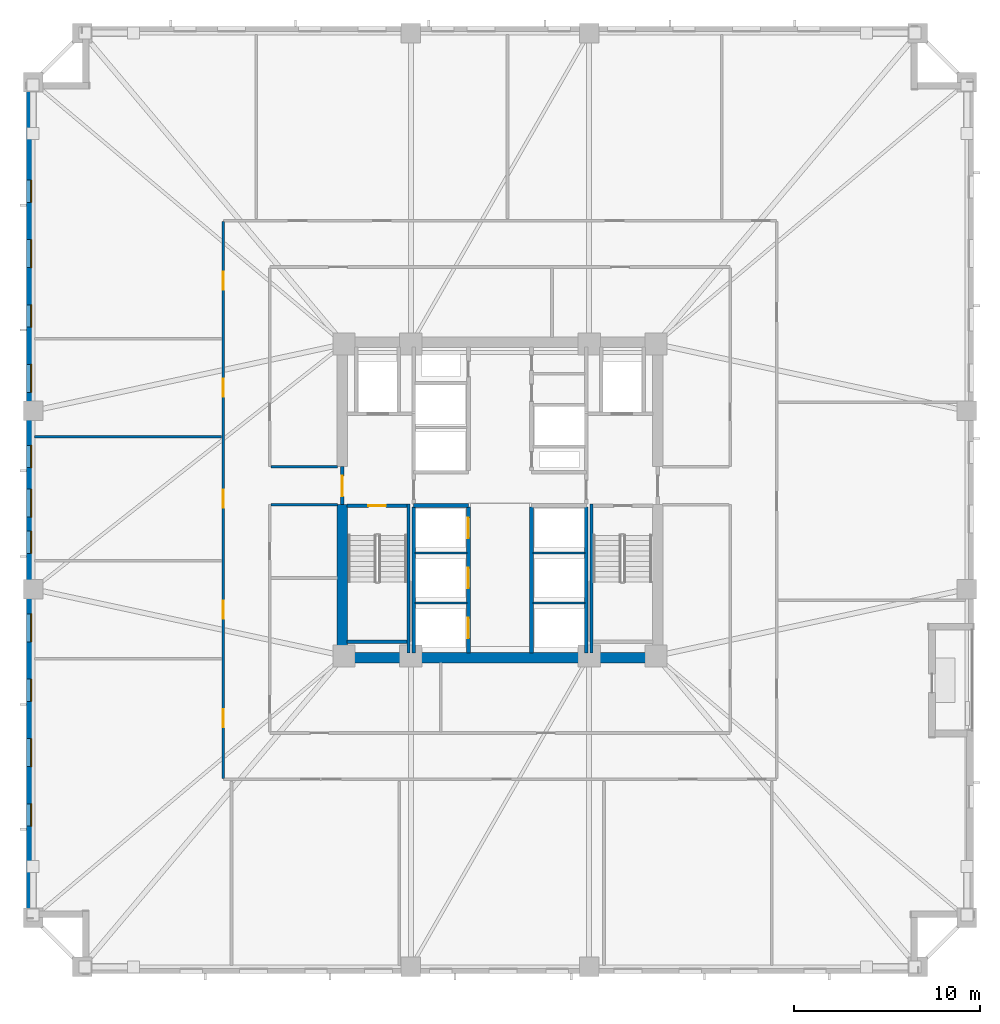
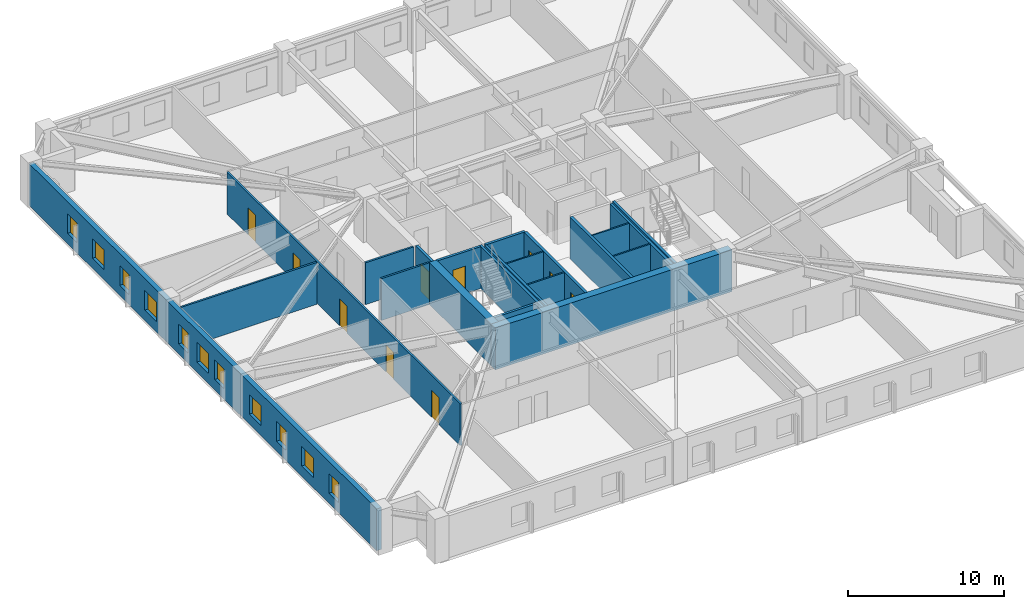
# One storey, part 3 of 11: 21 walls, 11 windows, 10 doors, 21 openings.
"""IFC4 building model written with IfcOpenShell, lengths in metres."""

from ifc_helpers import new_model, si_unit, direction, frame, frame_2d, origin, place, context, subcontext, project, spatial, rectangle, extrude, material, layer, layer_set, type_object, element, fill, save


model = new_model("IFC4")

# Units and contexts
model_context = context("Model", 3, precision=1e-05, world=origin(), true_north=direction((0.0, 1.0)))
body_context = subcontext(model_context, "Body", "Model", "MODEL_VIEW")
ifc_project = project(units=[si_unit("LENGTHUNIT", "METRE"), si_unit("AREAUNIT", "SQUARE_METRE"), si_unit("VOLUMEUNIT", "CUBIC_METRE"), si_unit("PLANEANGLEUNIT", "RADIAN"), si_unit("MASSUNIT", "GRAM", prefix="KILO")], contexts=[model_context])

# Site, building, storey
site_placement = place(None, origin())
site = spatial("IfcSite", under=ifc_project, at=site_placement, CompositionType="ELEMENT")
building_placement = place(site_placement, origin())
building = spatial("IfcBuilding", under=site, at=building_placement, Name="Cairnveth Concourse Tower", CompositionType="ELEMENT")
storey_placement = place(building_placement, frame((0.0, 0.0, 55.0)))
storey = spatial("IfcBuildingStorey", under=building, at=storey_placement, Name="L14", CompositionType="ELEMENT", Elevation=55.0)

# Walls
ifc_material_1 = material(Name="Concrete N80 (80 MPa)", Category="concrete")
ifc_layer_1 = layer(ifc_material_1, 0.550048828125)
ifc_layer_set_1 = layer_set([ifc_layer_1], Name="Concrete N80 (80 MPa)")
wall_type_1 = type_object("IfcWallType", Name="CORE SHEAR WALL 550", PredefinedType="SHEAR", material=ifc_layer_set_1)
wall_1_placement = place(storey_placement, frame((43.22509765625, 30.5, 0.0), z_axis=(0.0, 0.0, 1.0), x_axis=(1.0, 0.0, 0.0)))
element("IfcWall", 1, at=wall_1_placement, inside=storey, type_object=wall_type_1, Name="Core South Shear Wall L14", PredefinedType="SHEAR", context=body_context, shape_type="SweptSolid", body=[
    extrude(rectangle(XDim=17.5498046875, YDim=0.550048828125, at=frame_2d((8.77490234375, 0.0))), origin(), (0.0, 0.0, 1.0), 3.280029296875),
])
wall_2_placement = place(storey_placement, frame((43.5, 30.764892578125, 0.0), z_axis=(0.0, 0.0, 1.0), x_axis=(0.0, 1.0, 0.0)))
element("IfcWall", 2, at=wall_2_placement, inside=storey, type_object=wall_type_1, Name="Core West Shear Wall S L14", PredefinedType="SHEAR", context=body_context, shape_type="SweptSolid", body=[
    extrude(rectangle(XDim=7.985107421875, YDim=0.550048828125, at=frame_2d((3.99267578125, 0.0))), origin(), (0.0, 0.0, 1.0), 3.280029296875),
])
ifc_material_2 = material(Name="Concrete N50 (50 MPa)", Category="concrete")
ifc_layer_2 = layer(ifc_material_2, 0.179931640625)
ifc_layer_set_2 = layer_set([ifc_layer_2], Name="Concrete N50 (50 MPa)")
wall_type_2 = type_object("IfcWallType", Name="FIRE SHAFT WALL 180", PredefinedType="SOLIDWALL", material=ifc_layer_set_2)
for number, where, z_axis, x_axis, name in (
    (3, (47.35009765625, 30.760009765625, 0.0), (0.0, 0.0, 1.0), (0.0, 1.0, 0.0), "Interior Wall IW-L14-025"),
    (4, (56.64990234375, 30.760009765625, 0.0), (0.0, 0.0, 1.0), (0.0, 1.0, 0.0), "Interior Wall IW-L14-028"),
):
    element("IfcWall", number, at=place(storey_placement, frame(where, z_axis=z_axis, x_axis=x_axis)), inside=storey, type_object=wall_type_2, Name=name, PredefinedType="SOLIDWALL", context=body_context, shape_type="SweptSolid", body=[
        extrude(rectangle(XDim=7.85498046875, YDim=0.179931640625, at=frame_2d((3.927490234375, 0.0))), origin(), (0.0, 0.0, 1.0), 3.280029296875),
    ])

# Wall, opening, door
wall_3_placement = place(storey_placement, frame((43.764892578125, 38.68994140625, 0.0), z_axis=(0.0, 0.0, 1.0), x_axis=(1.0, 0.0, 0.0)))
wall_3 = element("IfcWall", 5, at=wall_3_placement, inside=storey, type_object=wall_type_2, Name="Stair ST-1 Shaft Wall NEAR L14", PredefinedType="SOLIDWALL", context=body_context, shape_type="SweptSolid", body=[
    extrude(rectangle(XDim=3.230224609375, YDim=0.179931640625, at=frame_2d((1.615234375, 0.0))), origin(), (0.0, 0.0, 1.0), 3.280029296875),
])
opening_1_placement = place(wall_3_placement, frame((1.139892578125, 0.0, 0.0)))
opening_1 = element("IfcOpeningElement", 6, at=opening_1_placement, cuts=wall_3, Name="Opening ID12", PredefinedType="OPENING", context=body_context, shape_type="SweptSolid", body=[
    extrude(rectangle(XDim=0.949951171875, YDim=2.14990234375, at=frame_2d((0.47509765625, 1.074951171875))), frame((0.0, 0.099853515625, 0.0), z_axis=(0.0, -1.0, 0.0), x_axis=(1.0, 0.0, 0.0)), (0.0, 0.0, 1.0), 0.199951171875),
])
ifc_material_3 = material(Name="Steel Grade 350", Category="steel")
door_type_1 = type_object("IfcDoorType", Name="FIRE STAIR DOOR 950X2150", OperationType="NOTDEFINED", PredefinedType="DOOR", material=ifc_material_3)
door_1_placement = place(opening_1_placement, origin())
door_1 = element("IfcDoor", 7, at=door_1_placement, inside=storey, type_object=door_type_1, Name="Stair ST-1 Fire Door L14", OperationType="SINGLE_SWING_LEFT", OverallHeight=2.14990234375, OverallWidth=0.949951171875, PredefinedType="DOOR", context=body_context, shape_type="SweptSolid", body=[
    extrude(rectangle(XDim=0.949951171875, YDim=2.14990234375, at=frame_2d((0.47509765625, 1.074951171875))), frame((0.0, 0.02490234375, 0.0), z_axis=(0.0, -1.0, 0.0), x_axis=(1.0, 0.0, 0.0)), (0.0, 0.0, 1.0), 0.050048828125),
])
fill(opening_1, door_1)

# Walls
wall_4_placement = place(storey_placement, frame((43.764892578125, 31.360107421875, 0.0), z_axis=(0.0, 0.0, 1.0), x_axis=(1.0, 0.0, 0.0)))
element("IfcWall", 8, at=wall_4_placement, inside=storey, type_object=wall_type_2, Name="Stair ST-1 Shaft Wall FAR L14", PredefinedType="SOLIDWALL", context=body_context, shape_type="SweptSolid", body=[
    extrude(rectangle(XDim=3.230224609375, YDim=0.179931640625, at=frame_2d((1.615234375, 0.0))), origin(), (0.0, 0.0, 1.0), 3.280029296875),
])
for number, where, z_axis, x_axis, name in (
    (9, (47.070068359375, 38.780029296875, 0.0), (0.0, 0.0, 1.0), (0.0, -1.0, 0.0), "Stair ST-1 Shaft Wall RGHT L14"),
    (10, (56.929931640625, 38.780029296875, 0.0), (0.0, 0.0, 1.0), (0.0, -1.0, 0.0), "Stair ST-2 Shaft Wall LEFT L14"),
):
    element("IfcWall", number, at=place(storey_placement, frame(where, z_axis=z_axis, x_axis=x_axis)), inside=storey, type_object=wall_type_2, Name=name, PredefinedType="SOLIDWALL", context=body_context, shape_type="SweptSolid", body=[
        extrude(rectangle(XDim=8.01708984375, YDim=0.179931640625, at=frame_2d((4.008544921875, 0.0))), origin(), (0.0, 0.0, 1.0), 3.280029296875),
    ])
ifc_layer_3 = layer(ifc_material_2, 0.199951171875)
ifc_layer_set_3 = layer_set([ifc_layer_3], Name="Concrete N50 (50 MPa)")
wall_type_3 = type_object("IfcWallType", Name="FIRE SHAFT WALL 200", PredefinedType="SOLIDWALL", material=ifc_layer_set_3)
wall_5_placement = place(storey_placement, frame((47.35009765625, 38.699951171875, 0.0), z_axis=(0.0, 0.0, 1.0), x_axis=(1.0, 0.0, 0.0)))
element("IfcWall", 11, at=wall_5_placement, inside=storey, type_object=wall_type_3, Name="Interior Wall IW-L14-007", PredefinedType="SOLIDWALL", context=body_context, shape_type="SweptSolid", body=[
    extrude(rectangle(XDim=2.949951171875, YDim=0.199951171875, at=frame_2d((1.47509765625, 0.0))), origin(), (0.0, 0.0, 1.0), 3.280029296875),
])

# Wall, openings, doors
wall_6_placement = place(storey_placement, frame((50.300048828125, 30.760009765625, 0.0), z_axis=(0.0, 0.0, 1.0), x_axis=(0.0, 1.0, 0.0)))
wall_6 = element("IfcWall", 12, at=wall_6_placement, inside=storey, type_object=wall_type_3, Name="Interior Wall IW-L14-011", PredefinedType="SOLIDWALL", context=body_context, shape_type="SweptSolid", body=[
    extrude(rectangle(XDim=7.85498046875, YDim=0.199951171875, at=frame_2d((3.927490234375, 0.0))), origin(), (0.0, 0.0, 1.0), 3.280029296875),
])
opening_2_placement = place(wall_6_placement, frame((0.7900390625, 0.0, 0.0)))
opening_2 = element("IfcOpeningElement", 13, at=opening_2_placement, cuts=wall_6, Name="Opening LD-1", PredefinedType="OPENING", context=body_context, shape_type="SweptSolid", body=[
    extrude(rectangle(XDim=1.10009765625, YDim=2.199951171875, at=frame_2d((0.550048828125, 1.10009765625))), frame((0.0, 0.10986328125, 0.0), z_axis=(0.0, -1.0, 0.0), x_axis=(1.0, 0.0, 0.0)), (0.0, 0.0, 1.0), 0.219970703125),
])
opening_3_placement = place(wall_6_placement, frame((3.489990234375, 0.0, 0.0)))
opening_3 = element("IfcOpeningElement", 14, at=opening_3_placement, cuts=wall_6, Name="Opening LD-1", PredefinedType="OPENING", context=body_context, shape_type="SweptSolid", body=[
    extrude(rectangle(XDim=1.10009765625, YDim=2.199951171875, at=frame_2d((0.550048828125, 1.10009765625))), frame((0.0, 0.10986328125, 0.0), z_axis=(0.0, -1.0, 0.0), x_axis=(1.0, 0.0, 0.0)), (0.0, 0.0, 1.0), 0.219970703125),
])
opening_4_placement = place(wall_6_placement, frame((6.18994140625, 0.0, 0.0)))
opening_4 = element("IfcOpeningElement", 15, at=opening_4_placement, cuts=wall_6, Name="Opening LD-1", PredefinedType="OPENING", context=body_context, shape_type="SweptSolid", body=[
    extrude(rectangle(XDim=1.10009765625, YDim=2.199951171875, at=frame_2d((0.550048828125, 1.10009765625))), frame((0.0, 0.10986328125, 0.0), z_axis=(0.0, -1.0, 0.0), x_axis=(1.0, 0.0, 0.0)), (0.0, 0.0, 1.0), 0.219970703125),
])
ifc_material_4 = material(Name="Architectural Bronze Anodised Aluminium 6063-T6", Category="aluminium")
door_type_2 = type_object("IfcDoorType", Name="LIFT LANDING DOOR 1100X2200", OperationType="SLIDING_TO_LEFT", PredefinedType="DOOR", material=ifc_material_4)
door_2_placement = place(opening_2_placement, origin())
door_2 = element("IfcDoor", 16, at=door_2_placement, inside=storey, type_object=door_type_2, Name="Lift PL1 Landing Door L14", OperationType="SLIDING_TO_LEFT", OverallHeight=2.199951171875, OverallWidth=1.10009765625, PredefinedType="DOOR", context=body_context, shape_type="SweptSolid", body=[
    extrude(rectangle(XDim=1.10009765625, YDim=2.199951171875, at=frame_2d((0.550048828125, 1.10009765625))), frame((0.0, 0.02490234375, 0.0), z_axis=(0.0, -1.0, 0.0), x_axis=(1.0, 0.0, 0.0)), (0.0, 0.0, 1.0), 0.050048828125),
])
fill(opening_2, door_2)
door_3_placement = place(opening_3_placement, origin())
door_3 = element("IfcDoor", 17, at=door_3_placement, inside=storey, type_object=door_type_2, Name="Lift PL2 Landing Door L14", OperationType="SLIDING_TO_LEFT", OverallHeight=2.199951171875, OverallWidth=1.10009765625, PredefinedType="DOOR", context=body_context, shape_type="SweptSolid", body=[
    extrude(rectangle(XDim=1.10009765625, YDim=2.199951171875, at=frame_2d((0.550048828125, 1.10009765625))), frame((0.0, 0.02490234375, 0.0), z_axis=(0.0, -1.0, 0.0), x_axis=(1.0, 0.0, 0.0)), (0.0, 0.0, 1.0), 0.050048828125),
])
fill(opening_3, door_3)
door_4_placement = place(opening_4_placement, origin())
door_4 = element("IfcDoor", 18, at=door_4_placement, inside=storey, type_object=door_type_2, Name="Lift PL3 Landing Door L14", OperationType="SLIDING_TO_LEFT", OverallHeight=2.199951171875, OverallWidth=1.10009765625, PredefinedType="DOOR", context=body_context, shape_type="SweptSolid", body=[
    extrude(rectangle(XDim=1.10009765625, YDim=2.199951171875, at=frame_2d((0.550048828125, 1.10009765625))), frame((0.0, 0.02490234375, 0.0), z_axis=(0.0, -1.0, 0.0), x_axis=(1.0, 0.0, 0.0)), (0.0, 0.0, 1.0), 0.050048828125),
])
fill(opening_4, door_4)

# Wall
wall_7_placement = place(storey_placement, frame((53.699951171875, 30.760009765625, 0.0), z_axis=(0.0, 0.0, 1.0), x_axis=(0.0, 1.0, 0.0)))
element("IfcWall", 19, at=wall_7_placement, inside=storey, type_object=wall_type_3, Name="Interior Wall IW-L14-012", PredefinedType="SOLIDWALL", context=body_context, shape_type="SweptSolid", body=[
    extrude(rectangle(XDim=7.85498046875, YDim=0.199951171875, at=frame_2d((3.927490234375, 0.0))), origin(), (0.0, 0.0, 1.0), 3.280029296875),
])

# Wall, opening, door
wall_8_placement = place(storey_placement, frame((43.5, 38.75, 0.0), z_axis=(0.0, 0.0, 1.0), x_axis=(0.0, 1.0, 0.0)))
wall_8 = element("IfcWall", 20, at=wall_8_placement, inside=storey, type_object=wall_type_3, Name="Interior Wall IW-L14-015", PredefinedType="SOLIDWALL", context=body_context, shape_type="SweptSolid", body=[
    extrude(rectangle(XDim=2.050048828125, YDim=0.199951171875, at=frame_2d((1.02490234375, 0.0))), origin(), (0.0, 0.0, 1.0), 3.280029296875),
])
opening_5_placement = place(wall_8_placement, frame((0.449951171875, 0.0, 0.0)))
opening_5 = element("IfcOpeningElement", 21, at=opening_5_placement, cuts=wall_8, Name="Opening ID06", PredefinedType="OPENING", context=body_context, shape_type="SweptSolid", body=[
    extrude(rectangle(XDim=1.10009765625, YDim=2.14990234375, at=frame_2d((0.550048828125, 1.074951171875))), frame((0.0, 0.10986328125, 0.0), z_axis=(0.0, -1.0, 0.0), x_axis=(1.0, 0.0, 0.0)), (0.0, 0.0, 1.0), 0.219970703125),
])
door_type_3 = type_object("IfcDoorType", Name="FIRE CORRIDOR DOOR 1100X2150", OperationType="NOTDEFINED", PredefinedType="DOOR", material=ifc_material_3)
door_5_placement = place(opening_5_placement, origin())
door_5 = element("IfcDoor", 22, at=door_5_placement, inside=storey, type_object=door_type_3, Name="West Wing to FF Lobby Door L14", OperationType="SINGLE_SWING_LEFT", OverallHeight=2.14990234375, OverallWidth=1.10009765625, PredefinedType="DOOR", context=body_context, shape_type="SweptSolid", body=[
    extrude(rectangle(XDim=1.10009765625, YDim=2.14990234375, at=frame_2d((0.550048828125, 1.074951171875))), frame((0.0, 0.02490234375, 0.0), z_axis=(0.0, -1.0, 0.0), x_axis=(1.0, 0.0, 0.0)), (0.0, 0.0, 1.0), 0.050048828125),
])
fill(opening_5, door_5)

# Wall, openings, doors
ifc_material_5 = material(Name="Gypsum Plasterboard Partition", Category="gypsum")
ifc_layer_4 = layer(ifc_material_5, 0.139892578125)
ifc_layer_set_4 = layer_set([ifc_layer_4], Name="Gypsum Plasterboard Partition")
wall_type_4 = type_object("IfcWallType", Name="GYPSUM STUD PARTITION 140", PredefinedType="PARTITIONING", material=ifc_layer_set_4)
wall_9_placement = place(storey_placement, frame((37.10009765625, 24.0048828125, 0.0), z_axis=(0.0, 0.0, 1.0), x_axis=(0.0, 1.0, 0.0)))
wall_9 = element("IfcWall", 23, at=wall_9_placement, inside=storey, type_object=wall_type_4, Name="Interior Wall IW-L14-040", PredefinedType="PARTITIONING", context=body_context, shape_type="SweptSolid", body=[
    extrude(rectangle(XDim=29.990234375, YDim=0.139892578125, at=frame_2d((14.9951171875, 0.0))), origin(), (0.0, 0.0, 1.0), 3.280029296875),
])
opening_6_placement = place(wall_9_placement, frame((2.759765625, 0.0, 0.0)))
opening_6 = element("IfcOpeningElement", 24, at=opening_6_placement, cuts=wall_9, Name="Opening ID11", PredefinedType="OPENING", context=body_context, shape_type="SweptSolid", body=[
    extrude(rectangle(XDim=0.9599609375, YDim=2.1201171875, at=frame_2d((0.47998046875, 1.06005859375))), frame((0.0, 0.079833984375, 0.0), z_axis=(0.0, -1.0, 0.0), x_axis=(1.0, 0.0, 0.0)), (0.0, 0.0, 1.0), 0.159912109375),
])
opening_7_placement = place(wall_9_placement, frame((8.597900390625, 0.0, 0.0)))
opening_7 = element("IfcOpeningElement", 25, at=opening_7_placement, cuts=wall_9, Name="Opening ID11", PredefinedType="OPENING", context=body_context, shape_type="SweptSolid", body=[
    extrude(rectangle(XDim=0.9599609375, YDim=2.1201171875, at=frame_2d((0.47998046875, 1.06005859375))), frame((0.0, 0.079833984375, 0.0), z_axis=(0.0, -1.0, 0.0), x_axis=(1.0, 0.0, 0.0)), (0.0, 0.0, 1.0), 0.159912109375),
])
opening_8_placement = place(wall_9_placement, frame((14.577880859375, 0.0, 0.0)))
opening_8 = element("IfcOpeningElement", 26, at=opening_8_placement, cuts=wall_9, Name="Opening ID11", PredefinedType="OPENING", context=body_context, shape_type="SweptSolid", body=[
    extrude(rectangle(XDim=0.9599609375, YDim=2.1201171875, at=frame_2d((0.47998046875, 1.06005859375))), frame((0.0, 0.079833984375, 0.0), z_axis=(0.0, -1.0, 0.0), x_axis=(1.0, 0.0, 0.0)), (0.0, 0.0, 1.0), 0.159912109375),
])
opening_9_placement = place(wall_9_placement, frame((20.55810546875, 0.0, 0.0)))
opening_9 = element("IfcOpeningElement", 27, at=opening_9_placement, cuts=wall_9, Name="Opening ID11", PredefinedType="OPENING", context=body_context, shape_type="SweptSolid", body=[
    extrude(rectangle(XDim=0.9599609375, YDim=2.1201171875, at=frame_2d((0.47998046875, 1.06005859375))), frame((0.0, 0.079833984375, 0.0), z_axis=(0.0, -1.0, 0.0), x_axis=(1.0, 0.0, 0.0)), (0.0, 0.0, 1.0), 0.159912109375),
])
opening_10_placement = place(wall_9_placement, frame((26.333251953125, 0.0, 0.0)))
opening_10 = element("IfcOpeningElement", 28, at=opening_10_placement, cuts=wall_9, Name="Opening ID11", PredefinedType="OPENING", context=body_context, shape_type="SweptSolid", body=[
    extrude(rectangle(XDim=0.9599609375, YDim=2.1201171875, at=frame_2d((0.47998046875, 1.06005859375))), frame((0.0, 0.079833984375, 0.0), z_axis=(0.0, -1.0, 0.0), x_axis=(1.0, 0.0, 0.0)), (0.0, 0.0, 1.0), 0.159912109375),
])
ifc_material_6 = material(Name="Solid Core Hardwood Timber Leaf", Category="wood")
door_type_4 = type_object("IfcDoorType", Name="INTERIOR SINGLE DOOR 960X2150", OperationType="NOTDEFINED", PredefinedType="DOOR", material=ifc_material_6)
door_6_placement = place(opening_6_placement, origin())
door_6 = element("IfcDoor", 29, at=door_6_placement, inside=storey, type_object=door_type_4, Name="Office Door L14-W1", OperationType="SINGLE_SWING_RIGHT", OverallHeight=2.1201171875, OverallWidth=0.9599609375, PredefinedType="DOOR", context=body_context, shape_type="SweptSolid", body=[
    extrude(rectangle(XDim=0.9599609375, YDim=2.1201171875, at=frame_2d((0.47998046875, 1.06005859375))), frame((0.0, 0.02490234375, 0.0), z_axis=(0.0, -1.0, 0.0), x_axis=(1.0, 0.0, 0.0)), (0.0, 0.0, 1.0), 0.050048828125),
])
fill(opening_6, door_6)
door_7_placement = place(opening_7_placement, origin())
door_7 = element("IfcDoor", 30, at=door_7_placement, inside=storey, type_object=door_type_4, Name="Office Door L14-W2", OperationType="SINGLE_SWING_LEFT", OverallHeight=2.1201171875, OverallWidth=0.9599609375, PredefinedType="DOOR", context=body_context, shape_type="SweptSolid", body=[
    extrude(rectangle(XDim=0.9599609375, YDim=2.1201171875, at=frame_2d((0.47998046875, 1.06005859375))), frame((0.0, 0.02490234375, 0.0), z_axis=(0.0, -1.0, 0.0), x_axis=(1.0, 0.0, 0.0)), (0.0, 0.0, 1.0), 0.050048828125),
])
fill(opening_7, door_7)
door_8_placement = place(opening_8_placement, origin())
door_8 = element("IfcDoor", 31, at=door_8_placement, inside=storey, type_object=door_type_4, Name="Office Door L14-W3", OperationType="SINGLE_SWING_RIGHT", OverallHeight=2.1201171875, OverallWidth=0.9599609375, PredefinedType="DOOR", context=body_context, shape_type="SweptSolid", body=[
    extrude(rectangle(XDim=0.9599609375, YDim=2.1201171875, at=frame_2d((0.47998046875, 1.06005859375))), frame((0.0, 0.02490234375, 0.0), z_axis=(0.0, -1.0, 0.0), x_axis=(1.0, 0.0, 0.0)), (0.0, 0.0, 1.0), 0.050048828125),
])
fill(opening_8, door_8)
door_9_placement = place(opening_9_placement, origin())
door_9 = element("IfcDoor", 32, at=door_9_placement, inside=storey, type_object=door_type_4, Name="Office Door L14-W4", OperationType="SINGLE_SWING_LEFT", OverallHeight=2.1201171875, OverallWidth=0.9599609375, PredefinedType="DOOR", context=body_context, shape_type="SweptSolid", body=[
    extrude(rectangle(XDim=0.9599609375, YDim=2.1201171875, at=frame_2d((0.47998046875, 1.06005859375))), frame((0.0, 0.02490234375, 0.0), z_axis=(0.0, -1.0, 0.0), x_axis=(1.0, 0.0, 0.0)), (0.0, 0.0, 1.0), 0.050048828125),
])
fill(opening_9, door_9)
door_10_placement = place(opening_10_placement, origin())
door_10 = element("IfcDoor", 33, at=door_10_placement, inside=storey, type_object=door_type_4, Name="Office Door L14-W5", OperationType="SINGLE_SWING_RIGHT", OverallHeight=2.1201171875, OverallWidth=0.9599609375, PredefinedType="DOOR", context=body_context, shape_type="SweptSolid", body=[
    extrude(rectangle(XDim=0.9599609375, YDim=2.1201171875, at=frame_2d((0.47998046875, 1.06005859375))), frame((0.0, 0.02490234375, 0.0), z_axis=(0.0, -1.0, 0.0), x_axis=(1.0, 0.0, 0.0)), (0.0, 0.0, 1.0), 0.050048828125),
])
fill(opening_10, door_10)

# Walls
for number, where, z_axis, x_axis, name in (
    (34, (39.655029296875, 38.75, 0.0), (0.0, 0.0, 1.0), (1.0, 0.0, 0.0), "Interior Wall IW-L14-046"),
    (35, (39.655029296875, 40.800048828125, 0.0), (0.0, 0.0, 1.0), (1.0, 0.0, 0.0), "Interior Wall IW-L14-047"),
):
    element("IfcWall", number, at=place(storey_placement, frame(where, z_axis=z_axis, x_axis=x_axis)), inside=storey, type_object=wall_type_4, Name=name, PredefinedType="PARTITIONING", context=body_context, shape_type="SweptSolid", body=[
        extrude(rectangle(XDim=3.5849609375, YDim=0.139892578125, at=frame_2d((1.79248046875, 0.0))), origin(), (0.0, 0.0, 1.0), 3.280029296875),
    ])
wall_10_placement = place(storey_placement, frame((26.919921875, 42.3994140625, 0.0), z_axis=(0.0, 0.0, 1.0), x_axis=(1.0, 0.0, 0.0)))
element("IfcWall", 36, at=wall_10_placement, inside=storey, type_object=wall_type_4, Name="Interior Wall IW-L14-064", PredefinedType="PARTITIONING", context=body_context, shape_type="SweptSolid", body=[
    extrude(rectangle(XDim=10.080078125, YDim=0.139892578125, at=frame_2d((5.0400390625, 0.0))), origin(), (0.0, 0.0, 1.0), 3.280029296875),
])
ifc_layer_5 = layer(ifc_material_5, 0.110107421875)
ifc_layer_set_5 = layer_set([ifc_layer_5], Name="Gypsum Plasterboard Partition")
wall_type_5 = type_object("IfcWallType", Name="SHAFT DIVIDER WALL 140", PredefinedType="PARTITIONING", material=ifc_layer_set_5)
for number, where, z_axis, x_axis, name in (
    (37, (47.425048828125, 33.449951171875, 0.0), (0.0, 0.0, 1.0), (1.0, 0.0, 0.0), "Interior Wall IW-L14-026"),
    (38, (47.425048828125, 36.14990234375, 0.0), (0.0, 0.0, 1.0), (1.0, 0.0, 0.0), "Interior Wall IW-L14-027"),
    (39, (53.784912109375, 33.449951171875, 0.0), (0.0, 0.0, 1.0), (1.0, 0.0, 0.0), "Interior Wall IW-L14-029"),
    (40, (53.784912109375, 36.14990234375, 0.0), (0.0, 0.0, 1.0), (1.0, 0.0, 0.0), "Interior Wall IW-L14-030"),
):
    element("IfcWall", number, at=place(storey_placement, frame(where, z_axis=z_axis, x_axis=x_axis)), inside=storey, type_object=wall_type_5, Name=name, PredefinedType="PARTITIONING", context=body_context, shape_type="SweptSolid", body=[
        extrude(rectangle(XDim=2.7900390625, YDim=0.110107421875, at=frame_2d((1.39501953125, 0.0))), origin(), (0.0, 0.0, 1.0), 3.280029296875),
    ])

# Wall, openings, windows
ifc_material_7 = material(Name="Hawthorn Red-Ochre Fired Clay Brick Masonry", Category="masonry")
ifc_layer_6 = layer(ifc_material_7, 0.360107421875)
ifc_layer_set_6 = layer_set([ifc_layer_6], Name="Hawthorn Red-Ochre Fired Clay Brick Masonry")
wall_type_6 = type_object("IfcWallType", Name="ZONE 1 BRICK PIER SPANDREL WALL 360", PredefinedType="SOLIDWALL", material=ifc_layer_set_6)
wall_11_placement = place(storey_placement, frame((26.679931640625, 16.5, 0.0), z_axis=(0.0, 0.0, 1.0), x_axis=(0.0, 1.0, 0.0)))
wall_11 = element("IfcWall", 41, at=wall_11_placement, inside=storey, type_object=wall_type_6, Name="Exterior Wall EW-L14-S06", PredefinedType="SOLIDWALL", context=body_context, shape_type="SweptSolid", body=[
    extrude(rectangle(XDim=44.662109375, YDim=0.360107421875, at=frame_2d((22.3310546875, 0.0))), origin(), (0.0, 0.0, 1.0), 3.280029296875),
])
opening_11_placement = place(wall_11_placement, frame((4.93017578125, 0.0, 0.800048828125)))
opening_11 = element("IfcOpeningElement", 42, at=opening_11_placement, cuts=wall_11, Name="Opening W01", PredefinedType="OPENING", context=body_context, shape_type="SweptSolid", body=[
    extrude(rectangle(XDim=1.199951171875, YDim=1.5439453125, at=frame_2d((0.60009765625, 0.77197265625))), frame((0.0, 0.18994140625, 0.0), z_axis=(0.0, -1.0, 0.0), x_axis=(1.0, 0.0, 0.0)), (0.0, 0.0, 1.0), 0.380126953125),
])
opening_12_placement = place(wall_11_placement, frame((8.140380859375, 0.0, 0.800048828125)))
opening_12 = element("IfcOpeningElement", 43, at=opening_12_placement, cuts=wall_11, Name="Opening W03", PredefinedType="OPENING", context=body_context, shape_type="SweptSolid", body=[
    extrude(rectangle(XDim=1.5, YDim=1.5439453125, at=frame_2d((0.75, 0.77197265625))), frame((0.0, 0.18994140625, 0.0), z_axis=(0.0, -1.0, 0.0), x_axis=(1.0, 0.0, 0.0)), (0.0, 0.0, 1.0), 0.380126953125),
])
opening_13_placement = place(wall_11_placement, frame((11.650390625, 0.0, 0.800048828125)))
opening_13 = element("IfcOpeningElement", 44, at=opening_13_placement, cuts=wall_11, Name="Opening W01", PredefinedType="OPENING", context=body_context, shape_type="SweptSolid", body=[
    extrude(rectangle(XDim=1.199951171875, YDim=1.5439453125, at=frame_2d((0.60009765625, 0.77197265625))), frame((0.0, 0.18994140625, 0.0), z_axis=(0.0, -1.0, 0.0), x_axis=(1.0, 0.0, 0.0)), (0.0, 0.0, 1.0), 0.380126953125),
])
opening_14_placement = place(wall_11_placement, frame((14.860595703125, 0.0, 0.800048828125)))
opening_14 = element("IfcOpeningElement", 45, at=opening_14_placement, cuts=wall_11, Name="Opening W03", PredefinedType="OPENING", context=body_context, shape_type="SweptSolid", body=[
    extrude(rectangle(XDim=1.5, YDim=1.5439453125, at=frame_2d((0.75, 0.77197265625))), frame((0.0, 0.18994140625, 0.0), z_axis=(0.0, -1.0, 0.0), x_axis=(1.0, 0.0, 0.0)), (0.0, 0.0, 1.0), 0.380126953125),
])
opening_15_placement = place(wall_11_placement, frame((19.620849609375, 0.0, 0.800048828125)))
opening_15 = element("IfcOpeningElement", 46, at=opening_15_placement, cuts=wall_11, Name="Opening W01", PredefinedType="OPENING", context=body_context, shape_type="SweptSolid", body=[
    extrude(rectangle(XDim=1.199951171875, YDim=1.5439453125, at=frame_2d((0.60009765625, 0.77197265625))), frame((0.0, 0.18994140625, 0.0), z_axis=(0.0, -1.0, 0.0), x_axis=(1.0, 0.0, 0.0)), (0.0, 0.0, 1.0), 0.380126953125),
])
opening_16_placement = place(wall_11_placement, frame((21.5810546875, 0.0, 0.800048828125)))
opening_16 = element("IfcOpeningElement", 47, at=opening_16_placement, cuts=wall_11, Name="Opening W03", PredefinedType="OPENING", context=body_context, shape_type="SweptSolid", body=[
    extrude(rectangle(XDim=1.5, YDim=1.5439453125, at=frame_2d((0.75, 0.77197265625))), frame((0.0, 0.18994140625, 0.0), z_axis=(0.0, -1.0, 0.0), x_axis=(1.0, 0.0, 0.0)), (0.0, 0.0, 1.0), 0.380126953125),
])
opening_17_placement = place(wall_11_placement, frame((24.2412109375, 0.0, 0.800048828125)))
opening_17 = element("IfcOpeningElement", 48, at=opening_17_placement, cuts=wall_11, Name="Opening W01", PredefinedType="OPENING", context=body_context, shape_type="SweptSolid", body=[
    extrude(rectangle(XDim=1.199951171875, YDim=1.5439453125, at=frame_2d((0.60009765625, 0.77197265625))), frame((0.0, 0.18994140625, 0.0), z_axis=(0.0, -1.0, 0.0), x_axis=(1.0, 0.0, 0.0)), (0.0, 0.0, 1.0), 0.380126953125),
])
opening_18_placement = place(wall_11_placement, frame((28.301513671875, 0.0, 0.800048828125)))
opening_18 = element("IfcOpeningElement", 49, at=opening_18_placement, cuts=wall_11, Name="Opening W03", PredefinedType="OPENING", context=body_context, shape_type="SweptSolid", body=[
    extrude(rectangle(XDim=1.5, YDim=1.5439453125, at=frame_2d((0.75, 0.77197265625))), frame((0.0, 0.18994140625, 0.0), z_axis=(0.0, -1.0, 0.0), x_axis=(1.0, 0.0, 0.0)), (0.0, 0.0, 1.0), 0.380126953125),
])
opening_19_placement = place(wall_11_placement, frame((31.8115234375, 0.0, 0.800048828125)))
opening_19 = element("IfcOpeningElement", 50, at=opening_19_placement, cuts=wall_11, Name="Opening W01", PredefinedType="OPENING", context=body_context, shape_type="SweptSolid", body=[
    extrude(rectangle(XDim=1.199951171875, YDim=1.5439453125, at=frame_2d((0.60009765625, 0.77197265625))), frame((0.0, 0.18994140625, 0.0), z_axis=(0.0, -1.0, 0.0), x_axis=(1.0, 0.0, 0.0)), (0.0, 0.0, 1.0), 0.380126953125),
])
opening_20_placement = place(wall_11_placement, frame((35.021728515625, 0.0, 0.800048828125)))
opening_20 = element("IfcOpeningElement", 51, at=opening_20_placement, cuts=wall_11, Name="Opening W03", PredefinedType="OPENING", context=body_context, shape_type="SweptSolid", body=[
    extrude(rectangle(XDim=1.5, YDim=1.5439453125, at=frame_2d((0.75, 0.77197265625))), frame((0.0, 0.18994140625, 0.0), z_axis=(0.0, -1.0, 0.0), x_axis=(1.0, 0.0, 0.0)), (0.0, 0.0, 1.0), 0.380126953125),
])
opening_21_placement = place(wall_11_placement, frame((38.531982421875, 0.0, 0.800048828125)))
opening_21 = element("IfcOpeningElement", 52, at=opening_21_placement, cuts=wall_11, Name="Opening W01", PredefinedType="OPENING", context=body_context, shape_type="SweptSolid", body=[
    extrude(rectangle(XDim=1.199951171875, YDim=1.5439453125, at=frame_2d((0.60009765625, 0.77197265625))), frame((0.0, 0.18994140625, 0.0), z_axis=(0.0, -1.0, 0.0), x_axis=(1.0, 0.0, 0.0)), (0.0, 0.0, 1.0), 0.380126953125),
])
ifc_material_8 = material(Name="Double Glazed Low-E Clear Glass", Category="glass")
window_type_1 = type_object("IfcWindowType", Name="DEEP-SET GOTHIC LANCET WINDOW 1200X1800", PartitioningType="DOUBLE_PANEL_VERTICAL", PredefinedType="WINDOW", material=ifc_material_8)
window_1_placement = place(opening_11_placement, origin())
window_1 = element("IfcWindow", 53, at=window_1_placement, inside=storey, type_object=window_type_1, Name="Gothic Lancet Window L14-6-1", OverallHeight=1.5439453125, OverallWidth=1.199951171875, PartitioningType="SINGLE_PANEL", PredefinedType="WINDOW", context=body_context, shape_type="SweptSolid", body=[
    extrude(rectangle(XDim=1.199951171875, YDim=1.5439453125, at=frame_2d((0.60009765625, 0.77197265625))), frame((0.0, -0.050048828125, 0.0), z_axis=(0.0, -1.0, 0.0), x_axis=(1.0, 0.0, 0.0)), (0.0, 0.0, 1.0), 0.06005859375),
])
fill(opening_11, window_1)
window_2_placement = place(opening_13_placement, origin())
window_2 = element("IfcWindow", 54, at=window_2_placement, inside=storey, type_object=window_type_1, Name="Gothic Lancet Window L14-6-3", OverallHeight=1.5439453125, OverallWidth=1.199951171875, PartitioningType="SINGLE_PANEL", PredefinedType="WINDOW", context=body_context, shape_type="SweptSolid", body=[
    extrude(rectangle(XDim=1.199951171875, YDim=1.5439453125, at=frame_2d((0.60009765625, 0.77197265625))), frame((0.0, -0.050048828125, 0.0), z_axis=(0.0, -1.0, 0.0), x_axis=(1.0, 0.0, 0.0)), (0.0, 0.0, 1.0), 0.06005859375),
])
fill(opening_13, window_2)
window_3_placement = place(opening_15_placement, origin())
window_3 = element("IfcWindow", 55, at=window_3_placement, inside=storey, type_object=window_type_1, Name="Gothic Lancet Window L14-6-5", OverallHeight=1.5439453125, OverallWidth=1.199951171875, PartitioningType="SINGLE_PANEL", PredefinedType="WINDOW", context=body_context, shape_type="SweptSolid", body=[
    extrude(rectangle(XDim=1.199951171875, YDim=1.5439453125, at=frame_2d((0.60009765625, 0.77197265625))), frame((0.0, -0.050048828125, 0.0), z_axis=(0.0, -1.0, 0.0), x_axis=(1.0, 0.0, 0.0)), (0.0, 0.0, 1.0), 0.06005859375),
])
fill(opening_15, window_3)
window_4_placement = place(opening_17_placement, origin())
window_4 = element("IfcWindow", 56, at=window_4_placement, inside=storey, type_object=window_type_1, Name="Gothic Lancet Window L14-6-7", OverallHeight=1.5439453125, OverallWidth=1.199951171875, PartitioningType="SINGLE_PANEL", PredefinedType="WINDOW", context=body_context, shape_type="SweptSolid", body=[
    extrude(rectangle(XDim=1.199951171875, YDim=1.5439453125, at=frame_2d((0.60009765625, 0.77197265625))), frame((0.0, -0.050048828125, 0.0), z_axis=(0.0, -1.0, 0.0), x_axis=(1.0, 0.0, 0.0)), (0.0, 0.0, 1.0), 0.06005859375),
])
fill(opening_17, window_4)
window_5_placement = place(opening_19_placement, origin())
window_5 = element("IfcWindow", 57, at=window_5_placement, inside=storey, type_object=window_type_1, Name="Gothic Lancet Window L14-6-9", OverallHeight=1.5439453125, OverallWidth=1.199951171875, PartitioningType="SINGLE_PANEL", PredefinedType="WINDOW", context=body_context, shape_type="SweptSolid", body=[
    extrude(rectangle(XDim=1.199951171875, YDim=1.5439453125, at=frame_2d((0.60009765625, 0.77197265625))), frame((0.0, -0.050048828125, 0.0), z_axis=(0.0, -1.0, 0.0), x_axis=(1.0, 0.0, 0.0)), (0.0, 0.0, 1.0), 0.06005859375),
])
fill(opening_19, window_5)
window_6_placement = place(opening_21_placement, origin())
window_6 = element("IfcWindow", 58, at=window_6_placement, inside=storey, type_object=window_type_1, Name="Gothic Lancet Window L14-6-11", OverallHeight=1.5439453125, OverallWidth=1.199951171875, PartitioningType="SINGLE_PANEL", PredefinedType="WINDOW", context=body_context, shape_type="SweptSolid", body=[
    extrude(rectangle(XDim=1.199951171875, YDim=1.5439453125, at=frame_2d((0.60009765625, 0.77197265625))), frame((0.0, -0.050048828125, 0.0), z_axis=(0.0, -1.0, 0.0), x_axis=(1.0, 0.0, 0.0)), (0.0, 0.0, 1.0), 0.06005859375),
])
fill(opening_21, window_6)
window_type_2 = type_object("IfcWindowType", Name="DEEP-SET GOTHIC LANCET WINDOW 1500X1800", PartitioningType="DOUBLE_PANEL_VERTICAL", PredefinedType="WINDOW", material=ifc_material_8)
window_7_placement = place(opening_12_placement, origin())
window_7 = element("IfcWindow", 59, at=window_7_placement, inside=storey, type_object=window_type_2, Name="Gothic Lancet Window L14-6-2", OverallHeight=1.5439453125, OverallWidth=1.5, PartitioningType="SINGLE_PANEL", PredefinedType="WINDOW", context=body_context, shape_type="SweptSolid", body=[
    extrude(rectangle(XDim=1.5, YDim=1.5439453125, at=frame_2d((0.75, 0.77197265625))), frame((0.0, -0.050048828125, 0.0), z_axis=(0.0, -1.0, 0.0), x_axis=(1.0, 0.0, 0.0)), (0.0, 0.0, 1.0), 0.06005859375),
])
fill(opening_12, window_7)
window_8_placement = place(opening_14_placement, origin())
window_8 = element("IfcWindow", 60, at=window_8_placement, inside=storey, type_object=window_type_2, Name="Gothic Lancet Window L14-6-4", OverallHeight=1.5439453125, OverallWidth=1.5, PartitioningType="SINGLE_PANEL", PredefinedType="WINDOW", context=body_context, shape_type="SweptSolid", body=[
    extrude(rectangle(XDim=1.5, YDim=1.5439453125, at=frame_2d((0.75, 0.77197265625))), frame((0.0, -0.050048828125, 0.0), z_axis=(0.0, -1.0, 0.0), x_axis=(1.0, 0.0, 0.0)), (0.0, 0.0, 1.0), 0.06005859375),
])
fill(opening_14, window_8)
window_9_placement = place(opening_16_placement, origin())
window_9 = element("IfcWindow", 61, at=window_9_placement, inside=storey, type_object=window_type_2, Name="Gothic Lancet Window L14-6-6", OverallHeight=1.5439453125, OverallWidth=1.5, PartitioningType="SINGLE_PANEL", PredefinedType="WINDOW", context=body_context, shape_type="SweptSolid", body=[
    extrude(rectangle(XDim=1.5, YDim=1.5439453125, at=frame_2d((0.75, 0.77197265625))), frame((0.0, -0.050048828125, 0.0), z_axis=(0.0, -1.0, 0.0), x_axis=(1.0, 0.0, 0.0)), (0.0, 0.0, 1.0), 0.06005859375),
])
fill(opening_16, window_9)
window_10_placement = place(opening_18_placement, origin())
window_10 = element("IfcWindow", 62, at=window_10_placement, inside=storey, type_object=window_type_2, Name="Gothic Lancet Window L14-6-8", OverallHeight=1.5439453125, OverallWidth=1.5, PartitioningType="SINGLE_PANEL", PredefinedType="WINDOW", context=body_context, shape_type="SweptSolid", body=[
    extrude(rectangle(XDim=1.5, YDim=1.5439453125, at=frame_2d((0.75, 0.77197265625))), frame((0.0, -0.050048828125, 0.0), z_axis=(0.0, -1.0, 0.0), x_axis=(1.0, 0.0, 0.0)), (0.0, 0.0, 1.0), 0.06005859375),
])
fill(opening_18, window_10)
window_11_placement = place(opening_20_placement, origin())
window_11 = element("IfcWindow", 63, at=window_11_placement, inside=storey, type_object=window_type_2, Name="Gothic Lancet Window L14-6-10", OverallHeight=1.5439453125, OverallWidth=1.5, PartitioningType="SINGLE_PANEL", PredefinedType="WINDOW", context=body_context, shape_type="SweptSolid", body=[
    extrude(rectangle(XDim=1.5, YDim=1.5439453125, at=frame_2d((0.75, 0.77197265625))), frame((0.0, -0.050048828125, 0.0), z_axis=(0.0, -1.0, 0.0), x_axis=(1.0, 0.0, 0.0)), (0.0, 0.0, 1.0), 0.06005859375),
])
fill(opening_20, window_11)

save(model, "model.ifc")
